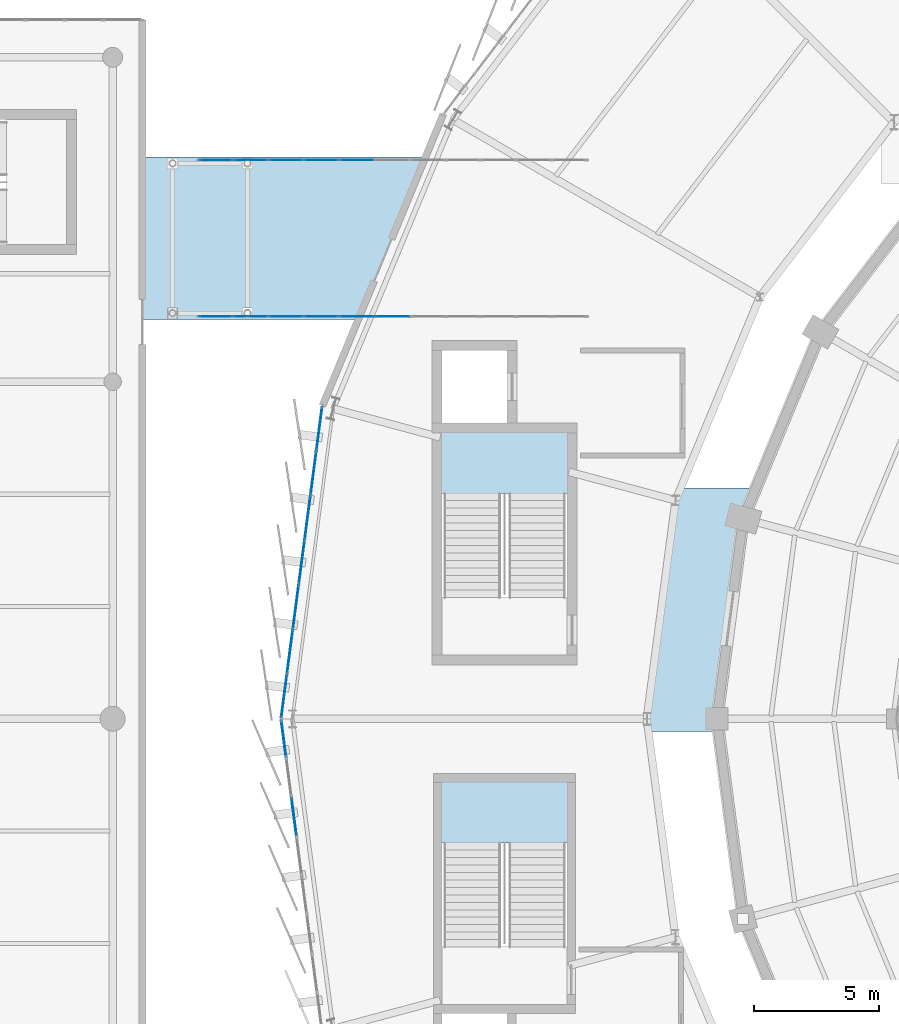
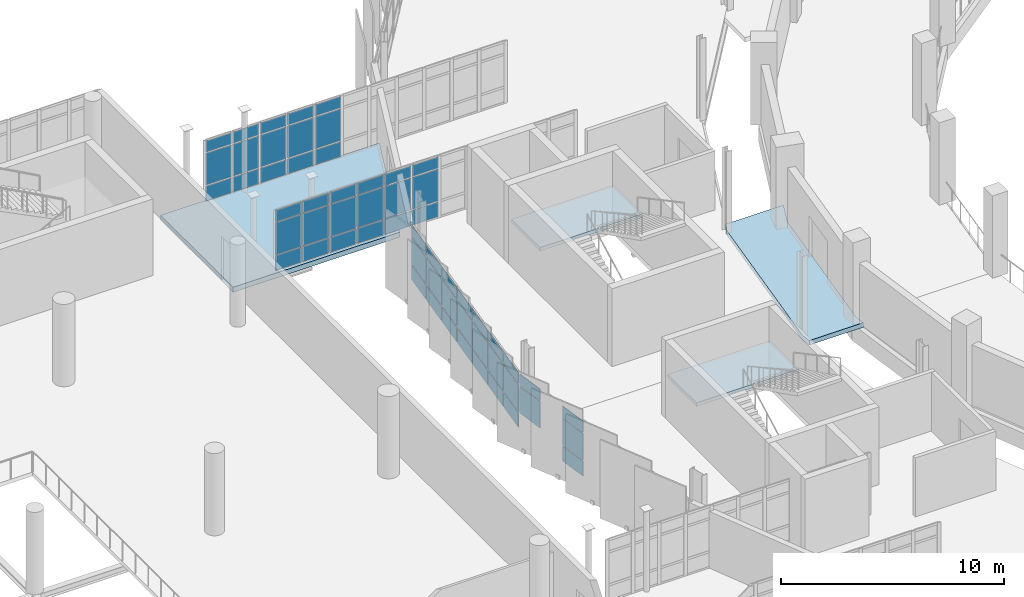
# One storey, part 87 of 125: 59 plates, 4 slabs, 6 elements without a shape of their own.
"""IFC4 building model written with IfcOpenShell, lengths in metres."""

from ifc_helpers import new_model, si_unit, direction, frame, origin, origin_2d, place, context, subcontext, project, spatial, polyline, rectangle, outline, extrude, material, layer, layer_set, type_object, element, aggregate, save


model = new_model("IFC4")

# Units and contexts
model_context = context("Model", 3, precision=1e-05, world=origin(), true_north=direction((0.0, 1.0)))
body_context = subcontext(model_context, "Body", "Model", "MODEL_VIEW")
ifc_project = project(units=[si_unit("LENGTHUNIT", "METRE"), si_unit("AREAUNIT", "SQUARE_METRE"), si_unit("VOLUMEUNIT", "CUBIC_METRE"), si_unit("PLANEANGLEUNIT", "RADIAN"), si_unit("MASSUNIT", "GRAM", prefix="KILO")], contexts=[model_context])

# Site, building, storey
site_placement = place(None, origin())
site = spatial("IfcSite", under=ifc_project, at=site_placement, CompositionType="ELEMENT")
building_placement = place(site_placement, origin())
building = spatial("IfcBuilding", under=site, at=building_placement, Name="Sohan Crest Arena", CompositionType="ELEMENT")
storey_placement = place(building_placement, frame((0.0, 0.0, 9.0)))
storey = spatial("IfcBuildingStorey", under=building, at=storey_placement, Name="L02", CompositionType="ELEMENT", Elevation=9.0)

# Curtain wall, plates
ifc_material_1 = material(Name="Thermally broken anodised aluminium", Category="aluminium")
ifc_layer_1 = layer(ifc_material_1, 0.18994140625, Name="Thermally broken anodised aluminium")
ifc_layer_set_1 = layer_set([ifc_layer_1], Name="Thermally broken anodised aluminium")
curtain_wall_type_1 = type_object("IfcCurtainWallType", Name="ARC-CW05", PredefinedType="NOTDEFINED", material=ifc_layer_set_1)
curtain_wall_1_placement = place(storey_placement, origin())
curtain_wall_1 = element("IfcCurtainWall", 1, at=curtain_wall_1_placement, inside=storey, type_object=curtain_wall_type_1, Name="Unitised curtain wall CW-235", PredefinedType="NOTDEFINED")
ifc_material_2 = material(Name="Low-E double-glazed insulated glass", Category="glass")
ifc_layer_2 = layer(ifc_material_2, 0.028076171875, Name="Low-E double-glazed insulated glass")
ifc_layer_set_2 = layer_set([ifc_layer_2], Name="Low-E double-glazed insulated glass")
plate_type_1 = type_object("IfcPlateType", Name="ARC-CNP01", PredefinedType="CURTAIN_PANEL", material=ifc_layer_set_2)
plate_1_placement = place(storey_placement, frame((46.92529296875, 94.1201171875, 0.06005859375), z_axis=(0.0, 0.0, 1.0), x_axis=(1.0, 0.0, 0.0)))
plate_1 = element("IfcPlate", 2, at=plate_1_placement, type_object=plate_type_1, Name="CW-235 panel 1.1", PredefinedType="CURTAIN_PANEL", context=body_context, shape_type="SweptSolid", body=[
    extrude(rectangle(XDim=1.32080078125, YDim=0.028076171875, at=origin_2d()), origin(), (0.0, 0.0, 1.0), 0.81005859375),
])
plate_2_placement = place(storey_placement, frame((46.92529296875, 94.1201171875, 0.93017578125), z_axis=(0.0, 0.0, 1.0), x_axis=(1.0, 0.0, 0.0)))
plate_2 = element("IfcPlate", 3, at=plate_2_placement, type_object=plate_type_1, Name="CW-235 panel 1.2", PredefinedType="CURTAIN_PANEL", context=body_context, shape_type="SweptSolid", body=[
    extrude(rectangle(XDim=1.32080078125, YDim=0.028076171875, at=origin_2d()), origin(), (0.0, 0.0, 1.0), 1.739990234375),
])
plate_3_placement = place(storey_placement, frame((46.92529296875, 94.1201171875, 2.72998046875), z_axis=(0.0, 0.0, 1.0), x_axis=(1.0, 0.0, 0.0)))
plate_3 = element("IfcPlate", 4, at=plate_3_placement, type_object=plate_type_1, Name="CW-235 panel 1.3", PredefinedType="CURTAIN_PANEL", context=body_context, shape_type="SweptSolid", body=[
    extrude(rectangle(XDim=1.32080078125, YDim=0.028076171875, at=origin_2d()), origin(), (0.0, 0.0, 1.0), 0.610107421875),
])
plate_4_placement = place(storey_placement, frame((48.327392578125, 94.1201171875, 0.06005859375), z_axis=(0.0, 0.0, 1.0), x_axis=(1.0, 0.0, 0.0)))
plate_4 = element("IfcPlate", 5, at=plate_4_placement, type_object=plate_type_1, Name="CW-235 panel 2.1", PredefinedType="CURTAIN_PANEL", context=body_context, shape_type="SweptSolid", body=[
    extrude(rectangle(XDim=1.353271484375, YDim=0.028076171875, at=origin_2d()), origin(), (0.0, 0.0, 1.0), 0.81005859375),
])
plate_5_placement = place(storey_placement, frame((48.327392578125, 94.1201171875, 0.93017578125), z_axis=(0.0, 0.0, 1.0), x_axis=(1.0, 0.0, 0.0)))
plate_5 = element("IfcPlate", 6, at=plate_5_placement, type_object=plate_type_1, Name="CW-235 panel 2.2", PredefinedType="CURTAIN_PANEL", context=body_context, shape_type="SweptSolid", body=[
    extrude(rectangle(XDim=1.353271484375, YDim=0.028076171875, at=origin_2d()), origin(), (0.0, 0.0, 1.0), 1.739990234375),
])
plate_6_placement = place(storey_placement, frame((48.327392578125, 94.1201171875, 2.72998046875), z_axis=(0.0, 0.0, 1.0), x_axis=(1.0, 0.0, 0.0)))
plate_6 = element("IfcPlate", 7, at=plate_6_placement, type_object=plate_type_1, Name="CW-235 panel 2.3", PredefinedType="CURTAIN_PANEL", context=body_context, shape_type="SweptSolid", body=[
    extrude(rectangle(XDim=1.353271484375, YDim=0.028076171875, at=origin_2d()), origin(), (0.0, 0.0, 1.0), 0.610107421875),
])
plate_7_placement = place(storey_placement, frame((49.745361328125, 94.1201171875, 0.06005859375), z_axis=(0.0, 0.0, 1.0), x_axis=(1.0, 0.0, 0.0)))
plate_7 = element("IfcPlate", 8, at=plate_7_placement, type_object=plate_type_1, Name="CW-235 panel 3.1", PredefinedType="CURTAIN_PANEL", context=body_context, shape_type="SweptSolid", body=[
    extrude(rectangle(XDim=1.353271484375, YDim=0.028076171875, at=origin_2d()), origin(), (0.0, 0.0, 1.0), 0.81005859375),
])
plate_8_placement = place(storey_placement, frame((49.745361328125, 94.1201171875, 0.93017578125), z_axis=(0.0, 0.0, 1.0), x_axis=(1.0, 0.0, 0.0)))
plate_8 = element("IfcPlate", 9, at=plate_8_placement, type_object=plate_type_1, Name="CW-235 panel 3.2", PredefinedType="CURTAIN_PANEL", context=body_context, shape_type="SweptSolid", body=[
    extrude(rectangle(XDim=1.353271484375, YDim=0.028076171875, at=origin_2d()), origin(), (0.0, 0.0, 1.0), 1.739990234375),
])
plate_9_placement = place(storey_placement, frame((49.745361328125, 94.1201171875, 2.72998046875), z_axis=(0.0, 0.0, 1.0), x_axis=(1.0, 0.0, 0.0)))
plate_9 = element("IfcPlate", 10, at=plate_9_placement, type_object=plate_type_1, Name="CW-235 panel 3.3", PredefinedType="CURTAIN_PANEL", context=body_context, shape_type="SweptSolid", body=[
    extrude(rectangle(XDim=1.353271484375, YDim=0.028076171875, at=origin_2d()), origin(), (0.0, 0.0, 1.0), 0.610107421875),
])
plate_10_placement = place(storey_placement, frame((51.16357421875, 94.1201171875, 0.06005859375), z_axis=(0.0, 0.0, 1.0), x_axis=(1.0, 0.0, 0.0)))
plate_10 = element("IfcPlate", 11, at=plate_10_placement, type_object=plate_type_1, Name="CW-235 panel 4.1", PredefinedType="CURTAIN_PANEL", context=body_context, shape_type="SweptSolid", body=[
    extrude(rectangle(XDim=1.353271484375, YDim=0.028076171875, at=origin_2d()), origin(), (0.0, 0.0, 1.0), 0.81005859375),
])
plate_11_placement = place(storey_placement, frame((51.16357421875, 94.1201171875, 0.93017578125), z_axis=(0.0, 0.0, 1.0), x_axis=(1.0, 0.0, 0.0)))
plate_11 = element("IfcPlate", 12, at=plate_11_placement, type_object=plate_type_1, Name="CW-235 panel 4.2", PredefinedType="CURTAIN_PANEL", context=body_context, shape_type="SweptSolid", body=[
    extrude(rectangle(XDim=1.353271484375, YDim=0.028076171875, at=origin_2d()), origin(), (0.0, 0.0, 1.0), 1.739990234375),
])
plate_12_placement = place(storey_placement, frame((51.16357421875, 94.1201171875, 2.72998046875), z_axis=(0.0, 0.0, 1.0), x_axis=(1.0, 0.0, 0.0)))
plate_12 = element("IfcPlate", 13, at=plate_12_placement, type_object=plate_type_1, Name="CW-235 panel 4.3", PredefinedType="CURTAIN_PANEL", context=body_context, shape_type="SweptSolid", body=[
    extrude(rectangle(XDim=1.353271484375, YDim=0.028076171875, at=origin_2d()), origin(), (0.0, 0.0, 1.0), 0.610107421875),
])
plate_13_placement = place(storey_placement, frame((52.581787109375, 94.1201171875, 0.06005859375), z_axis=(0.0, 0.0, 1.0), x_axis=(1.0, 0.0, 0.0)))
plate_13 = element("IfcPlate", 14, at=plate_13_placement, type_object=plate_type_1, Name="CW-235 panel 5.1", PredefinedType="CURTAIN_PANEL", context=body_context, shape_type="SweptSolid", body=[
    extrude(rectangle(XDim=1.353271484375, YDim=0.028076171875, at=origin_2d()), origin(), (0.0, 0.0, 1.0), 0.81005859375),
])
plate_14_placement = place(storey_placement, frame((52.581787109375, 94.1201171875, 0.93017578125), z_axis=(0.0, 0.0, 1.0), x_axis=(1.0, 0.0, 0.0)))
plate_14 = element("IfcPlate", 15, at=plate_14_placement, type_object=plate_type_1, Name="CW-235 panel 5.2", PredefinedType="CURTAIN_PANEL", context=body_context, shape_type="SweptSolid", body=[
    extrude(rectangle(XDim=1.353271484375, YDim=0.028076171875, at=origin_2d()), origin(), (0.0, 0.0, 1.0), 1.739990234375),
])
plate_15_placement = place(storey_placement, frame((52.581787109375, 94.1201171875, 2.72998046875), z_axis=(0.0, 0.0, 1.0), x_axis=(1.0, 0.0, 0.0)))
plate_15 = element("IfcPlate", 16, at=plate_15_placement, type_object=plate_type_1, Name="CW-235 panel 5.3", PredefinedType="CURTAIN_PANEL", context=body_context, shape_type="SweptSolid", body=[
    extrude(rectangle(XDim=1.353271484375, YDim=0.028076171875, at=origin_2d()), origin(), (0.0, 0.0, 1.0), 0.610107421875),
])
plate_16_placement = place(storey_placement, frame((54.0, 94.1201171875, 0.06005859375), z_axis=(0.0, 0.0, 1.0), x_axis=(1.0, 0.0, 0.0)))
plate_16 = element("IfcPlate", 17, at=plate_16_placement, type_object=plate_type_1, Name="CW-235 panel 6.1", PredefinedType="CURTAIN_PANEL", context=body_context, shape_type="SweptSolid", body=[
    extrude(rectangle(XDim=1.353271484375, YDim=0.028076171875, at=origin_2d()), origin(), (0.0, 0.0, 1.0), 0.81005859375),
])
plate_17_placement = place(storey_placement, frame((54.0, 94.1201171875, 0.93017578125), z_axis=(0.0, 0.0, 1.0), x_axis=(1.0, 0.0, 0.0)))
plate_17 = element("IfcPlate", 18, at=plate_17_placement, type_object=plate_type_1, Name="CW-235 panel 6.2", PredefinedType="CURTAIN_PANEL", context=body_context, shape_type="SweptSolid", body=[
    extrude(rectangle(XDim=1.353271484375, YDim=0.028076171875, at=origin_2d()), origin(), (0.0, 0.0, 1.0), 1.739990234375),
])
plate_18_placement = place(storey_placement, frame((54.0, 94.1201171875, 2.72998046875), z_axis=(0.0, 0.0, 1.0), x_axis=(1.0, 0.0, 0.0)))
plate_18 = element("IfcPlate", 19, at=plate_18_placement, type_object=plate_type_1, Name="CW-235 panel 6.3", PredefinedType="CURTAIN_PANEL", context=body_context, shape_type="SweptSolid", body=[
    extrude(rectangle(XDim=1.353271484375, YDim=0.028076171875, at=origin_2d()), origin(), (0.0, 0.0, 1.0), 0.610107421875),
])
aggregate(curtain_wall_1, [plate_1, plate_2, plate_3, plate_4, plate_5, plate_6, plate_7, plate_8, plate_9, plate_10, plate_11, plate_12, plate_13, plate_14, plate_15, plate_16, plate_17, plate_18])

curtain_wall_2_placement = place(storey_placement, origin())
curtain_wall_2 = element("IfcCurtainWall", 20, at=curtain_wall_2_placement, inside=storey, type_object=curtain_wall_type_1, Name="Unitised curtain wall CW-236", PredefinedType="NOTDEFINED")
plate_19_placement = place(storey_placement, frame((46.92529296875, 100.3798828125, 0.06005859375), z_axis=(0.0, 0.0, 1.0), x_axis=(1.0, 0.0, 0.0)))
plate_19 = element("IfcPlate", 21, at=plate_19_placement, type_object=plate_type_1, Name="CW-236 panel 1.1", PredefinedType="CURTAIN_PANEL", context=body_context, shape_type="SweptSolid", body=[
    extrude(rectangle(XDim=1.32080078125, YDim=0.028076171875, at=origin_2d()), origin(), (0.0, 0.0, 1.0), 0.81005859375),
])
plate_20_placement = place(storey_placement, frame((46.92529296875, 100.3798828125, 0.93017578125), z_axis=(0.0, 0.0, 1.0), x_axis=(1.0, 0.0, 0.0)))
plate_20 = element("IfcPlate", 22, at=plate_20_placement, type_object=plate_type_1, Name="CW-236 panel 1.2", PredefinedType="CURTAIN_PANEL", context=body_context, shape_type="SweptSolid", body=[
    extrude(rectangle(XDim=1.32080078125, YDim=0.028076171875, at=origin_2d()), origin(), (0.0, 0.0, 1.0), 1.739990234375),
])
plate_21_placement = place(storey_placement, frame((46.92529296875, 100.3798828125, 2.72998046875), z_axis=(0.0, 0.0, 1.0), x_axis=(1.0, 0.0, 0.0)))
plate_21 = element("IfcPlate", 23, at=plate_21_placement, type_object=plate_type_1, Name="CW-236 panel 1.3", PredefinedType="CURTAIN_PANEL", context=body_context, shape_type="SweptSolid", body=[
    extrude(rectangle(XDim=1.32080078125, YDim=0.028076171875, at=origin_2d()), origin(), (0.0, 0.0, 1.0), 0.610107421875),
])
plate_22_placement = place(storey_placement, frame((48.327392578125, 100.3798828125, 0.06005859375), z_axis=(0.0, 0.0, 1.0), x_axis=(1.0, 0.0, 0.0)))
plate_22 = element("IfcPlate", 24, at=plate_22_placement, type_object=plate_type_1, Name="CW-236 panel 2.1", PredefinedType="CURTAIN_PANEL", context=body_context, shape_type="SweptSolid", body=[
    extrude(rectangle(XDim=1.353271484375, YDim=0.028076171875, at=origin_2d()), origin(), (0.0, 0.0, 1.0), 0.81005859375),
])
plate_23_placement = place(storey_placement, frame((48.327392578125, 100.3798828125, 0.93017578125), z_axis=(0.0, 0.0, 1.0), x_axis=(1.0, 0.0, 0.0)))
plate_23 = element("IfcPlate", 25, at=plate_23_placement, type_object=plate_type_1, Name="CW-236 panel 2.2", PredefinedType="CURTAIN_PANEL", context=body_context, shape_type="SweptSolid", body=[
    extrude(rectangle(XDim=1.353271484375, YDim=0.028076171875, at=origin_2d()), origin(), (0.0, 0.0, 1.0), 1.739990234375),
])
plate_24_placement = place(storey_placement, frame((48.327392578125, 100.3798828125, 2.72998046875), z_axis=(0.0, 0.0, 1.0), x_axis=(1.0, 0.0, 0.0)))
plate_24 = element("IfcPlate", 26, at=plate_24_placement, type_object=plate_type_1, Name="CW-236 panel 2.3", PredefinedType="CURTAIN_PANEL", context=body_context, shape_type="SweptSolid", body=[
    extrude(rectangle(XDim=1.353271484375, YDim=0.028076171875, at=origin_2d()), origin(), (0.0, 0.0, 1.0), 0.610107421875),
])
plate_25_placement = place(storey_placement, frame((49.745361328125, 100.3798828125, 0.06005859375), z_axis=(0.0, 0.0, 1.0), x_axis=(1.0, 0.0, 0.0)))
plate_25 = element("IfcPlate", 27, at=plate_25_placement, type_object=plate_type_1, Name="CW-236 panel 3.1", PredefinedType="CURTAIN_PANEL", context=body_context, shape_type="SweptSolid", body=[
    extrude(rectangle(XDim=1.353271484375, YDim=0.028076171875, at=origin_2d()), origin(), (0.0, 0.0, 1.0), 0.81005859375),
])
plate_26_placement = place(storey_placement, frame((49.745361328125, 100.3798828125, 0.93017578125), z_axis=(0.0, 0.0, 1.0), x_axis=(1.0, 0.0, 0.0)))
plate_26 = element("IfcPlate", 28, at=plate_26_placement, type_object=plate_type_1, Name="CW-236 panel 3.2", PredefinedType="CURTAIN_PANEL", context=body_context, shape_type="SweptSolid", body=[
    extrude(rectangle(XDim=1.353271484375, YDim=0.028076171875, at=origin_2d()), origin(), (0.0, 0.0, 1.0), 1.739990234375),
])
plate_27_placement = place(storey_placement, frame((49.745361328125, 100.3798828125, 2.72998046875), z_axis=(0.0, 0.0, 1.0), x_axis=(1.0, 0.0, 0.0)))
plate_27 = element("IfcPlate", 29, at=plate_27_placement, type_object=plate_type_1, Name="CW-236 panel 3.3", PredefinedType="CURTAIN_PANEL", context=body_context, shape_type="SweptSolid", body=[
    extrude(rectangle(XDim=1.353271484375, YDim=0.028076171875, at=origin_2d()), origin(), (0.0, 0.0, 1.0), 0.610107421875),
])
plate_28_placement = place(storey_placement, frame((51.16357421875, 100.3798828125, 0.06005859375), z_axis=(0.0, 0.0, 1.0), x_axis=(1.0, 0.0, 0.0)))
plate_28 = element("IfcPlate", 30, at=plate_28_placement, type_object=plate_type_1, Name="CW-236 panel 4.1", PredefinedType="CURTAIN_PANEL", context=body_context, shape_type="SweptSolid", body=[
    extrude(rectangle(XDim=1.353271484375, YDim=0.028076171875, at=origin_2d()), origin(), (0.0, 0.0, 1.0), 0.81005859375),
])
plate_29_placement = place(storey_placement, frame((51.16357421875, 100.3798828125, 0.93017578125), z_axis=(0.0, 0.0, 1.0), x_axis=(1.0, 0.0, 0.0)))
plate_29 = element("IfcPlate", 31, at=plate_29_placement, type_object=plate_type_1, Name="CW-236 panel 4.2", PredefinedType="CURTAIN_PANEL", context=body_context, shape_type="SweptSolid", body=[
    extrude(rectangle(XDim=1.353271484375, YDim=0.028076171875, at=origin_2d()), origin(), (0.0, 0.0, 1.0), 1.739990234375),
])
plate_30_placement = place(storey_placement, frame((51.16357421875, 100.3798828125, 2.72998046875), z_axis=(0.0, 0.0, 1.0), x_axis=(1.0, 0.0, 0.0)))
plate_30 = element("IfcPlate", 32, at=plate_30_placement, type_object=plate_type_1, Name="CW-236 panel 4.3", PredefinedType="CURTAIN_PANEL", context=body_context, shape_type="SweptSolid", body=[
    extrude(rectangle(XDim=1.353271484375, YDim=0.028076171875, at=origin_2d()), origin(), (0.0, 0.0, 1.0), 0.610107421875),
])
plate_31_placement = place(storey_placement, frame((52.581787109375, 100.3798828125, 0.06005859375), z_axis=(0.0, 0.0, 1.0), x_axis=(1.0, 0.0, 0.0)))
plate_31 = element("IfcPlate", 33, at=plate_31_placement, type_object=plate_type_1, Name="CW-236 panel 5.1", PredefinedType="CURTAIN_PANEL", context=body_context, shape_type="SweptSolid", body=[
    extrude(rectangle(XDim=1.353271484375, YDim=0.028076171875, at=origin_2d()), origin(), (0.0, 0.0, 1.0), 0.81005859375),
])
plate_32_placement = place(storey_placement, frame((52.581787109375, 100.3798828125, 0.93017578125), z_axis=(0.0, 0.0, 1.0), x_axis=(1.0, 0.0, 0.0)))
plate_32 = element("IfcPlate", 34, at=plate_32_placement, type_object=plate_type_1, Name="CW-236 panel 5.2", PredefinedType="CURTAIN_PANEL", context=body_context, shape_type="SweptSolid", body=[
    extrude(rectangle(XDim=1.353271484375, YDim=0.028076171875, at=origin_2d()), origin(), (0.0, 0.0, 1.0), 1.739990234375),
])
plate_33_placement = place(storey_placement, frame((52.581787109375, 100.3798828125, 2.72998046875), z_axis=(0.0, 0.0, 1.0), x_axis=(1.0, 0.0, 0.0)))
plate_33 = element("IfcPlate", 35, at=plate_33_placement, type_object=plate_type_1, Name="CW-236 panel 5.3", PredefinedType="CURTAIN_PANEL", context=body_context, shape_type="SweptSolid", body=[
    extrude(rectangle(XDim=1.353271484375, YDim=0.028076171875, at=origin_2d()), origin(), (0.0, 0.0, 1.0), 0.610107421875),
])
aggregate(curtain_wall_2, [plate_19, plate_20, plate_21, plate_22, plate_23, plate_24, plate_25, plate_26, plate_27, plate_28, plate_29, plate_30, plate_31, plate_32, plate_33])

ifc_layer_3 = layer(ifc_material_1, 0.2099609375, Name="Thermally broken anodised aluminium")
ifc_layer_set_3 = layer_set([ifc_layer_3], Name="Thermally broken anodised aluminium")
curtain_wall_type_2 = type_object("IfcCurtainWallType", Name="ARC-CW06", PredefinedType="NOTDEFINED", material=ifc_layer_set_3)
curtain_wall_3_placement = place(storey_placement, origin())
curtain_wall_3 = element("IfcCurtainWall", 36, at=curtain_wall_3_placement, inside=storey, type_object=curtain_wall_type_2, Name="Unitised curtain wall CW-054", PredefinedType="NOTDEFINED")
ifc_layer_4 = layer(ifc_material_2, 0.031982421875, Name="Low-E double-glazed insulated glass")
ifc_layer_set_4 = layer_set([ifc_layer_4], Name="Low-E double-glazed insulated glass")
plate_type_2 = type_object("IfcPlateType", Name="ARC-CNP02", PredefinedType="CURTAIN_PANEL", material=ifc_layer_set_4)
plate_34_placement = place(storey_placement, frame((51.0810546875, 89.628173828125, 0.070068359375), z_axis=(0.0, 0.0, 1.0), x_axis=(-0.130532229177, -0.991444066575, 0.0)))
plate_34 = element("IfcPlate", 37, at=plate_34_placement, type_object=plate_type_2, Name="CW-054 panel 1.1", PredefinedType="CURTAIN_PANEL", context=body_context, shape_type="SweptSolid", body=[
    extrude(rectangle(XDim=1.70947265625, YDim=0.031982421875, at=origin_2d()), origin(), (0.0, 0.0, 1.0), 0.794921875),
])
plate_35_placement = place(storey_placement, frame((51.0810546875, 89.628173828125, 0.93505859375), z_axis=(0.0, 0.0, 1.0), x_axis=(-0.130532229177, -0.991444066575, 0.0)))
plate_35 = element("IfcPlate", 38, at=plate_35_placement, type_object=plate_type_2, Name="CW-054 panel 1.2", PredefinedType="CURTAIN_PANEL", context=body_context, shape_type="SweptSolid", body=[
    extrude(rectangle(XDim=1.70947265625, YDim=0.031982421875, at=origin_2d()), origin(), (0.0, 0.0, 1.0), 1.449951171875),
])
plate_36_placement = place(storey_placement, frame((51.0810546875, 89.628173828125, 2.455078125), z_axis=(0.0, 0.0, 1.0), x_axis=(-0.130532229177, -0.991444066575, 0.0)))
plate_36 = element("IfcPlate", 39, at=plate_36_placement, type_object=plate_type_2, Name="CW-054 panel 1.3", PredefinedType="CURTAIN_PANEL", context=body_context, shape_type="SweptSolid", body=[
    extrude(rectangle(XDim=1.70947265625, YDim=0.031982421875, at=origin_2d()), origin(), (0.0, 0.0, 1.0), 0.594970703125),
])
plate_37_placement = place(storey_placement, frame((50.84716796875, 87.852783203125, 0.070068359375), z_axis=(0.0, 0.0, 1.0), x_axis=(-0.130532229177, -0.991444066575, 0.0)))
plate_37 = element("IfcPlate", 40, at=plate_37_placement, type_object=plate_type_2, Name="CW-054 panel 2.1", PredefinedType="CURTAIN_PANEL", context=body_context, shape_type="SweptSolid", body=[
    extrude(rectangle(XDim=1.741943359375, YDim=0.031982421875, at=origin_2d()), origin(), (0.0, 0.0, 1.0), 0.794921875),
])
plate_38_placement = place(storey_placement, frame((50.84716796875, 87.852783203125, 0.93505859375), z_axis=(0.0, 0.0, 1.0), x_axis=(-0.130532229177, -0.991444066575, 0.0)))
plate_38 = element("IfcPlate", 41, at=plate_38_placement, type_object=plate_type_2, Name="CW-054 panel 2.2", PredefinedType="CURTAIN_PANEL", context=body_context, shape_type="SweptSolid", body=[
    extrude(rectangle(XDim=1.741943359375, YDim=0.031982421875, at=origin_2d()), origin(), (0.0, 0.0, 1.0), 1.449951171875),
])
plate_39_placement = place(storey_placement, frame((50.84716796875, 87.852783203125, 2.455078125), z_axis=(0.0, 0.0, 1.0), x_axis=(-0.130532229177, -0.991444066575, 0.0)))
plate_39 = element("IfcPlate", 42, at=plate_39_placement, type_object=plate_type_2, Name="CW-054 panel 2.3", PredefinedType="CURTAIN_PANEL", context=body_context, shape_type="SweptSolid", body=[
    extrude(rectangle(XDim=1.741943359375, YDim=0.031982421875, at=origin_2d()), origin(), (0.0, 0.0, 1.0), 0.594970703125),
])
plate_40_placement = place(storey_placement, frame((50.611328125, 86.0615234375, 0.070068359375), z_axis=(0.0, 0.0, 1.0), x_axis=(-0.130532229177, -0.991444066575, 0.0)))
plate_40 = element("IfcPlate", 43, at=plate_40_placement, type_object=plate_type_2, Name="CW-054 panel 3.1", PredefinedType="CURTAIN_PANEL", context=body_context, shape_type="SweptSolid", body=[
    extrude(rectangle(XDim=1.741943359375, YDim=0.031982421875, at=origin_2d()), origin(), (0.0, 0.0, 1.0), 0.794921875),
])
plate_41_placement = place(storey_placement, frame((50.611328125, 86.0615234375, 0.93505859375), z_axis=(0.0, 0.0, 1.0), x_axis=(-0.130532229177, -0.991444066575, 0.0)))
plate_41 = element("IfcPlate", 44, at=plate_41_placement, type_object=plate_type_2, Name="CW-054 panel 3.2", PredefinedType="CURTAIN_PANEL", context=body_context, shape_type="SweptSolid", body=[
    extrude(rectangle(XDim=1.741943359375, YDim=0.031982421875, at=origin_2d()), origin(), (0.0, 0.0, 1.0), 1.449951171875),
])
plate_42_placement = place(storey_placement, frame((50.611328125, 86.0615234375, 2.455078125), z_axis=(0.0, 0.0, 1.0), x_axis=(-0.130532229177, -0.991444066575, 0.0)))
plate_42 = element("IfcPlate", 45, at=plate_42_placement, type_object=plate_type_2, Name="CW-054 panel 3.3", PredefinedType="CURTAIN_PANEL", context=body_context, shape_type="SweptSolid", body=[
    extrude(rectangle(XDim=1.741943359375, YDim=0.031982421875, at=origin_2d()), origin(), (0.0, 0.0, 1.0), 0.594970703125),
])
plate_43_placement = place(storey_placement, frame((50.37548828125, 84.27001953125, 0.070068359375), z_axis=(0.0, 0.0, 1.0), x_axis=(-0.130532229177, -0.991444066575, 0.0)))
plate_43 = element("IfcPlate", 46, at=plate_43_placement, type_object=plate_type_2, Name="CW-054 panel 4.1", PredefinedType="CURTAIN_PANEL", context=body_context, shape_type="SweptSolid", body=[
    extrude(rectangle(XDim=1.741943359375, YDim=0.031982421875, at=origin_2d()), origin(), (0.0, 0.0, 1.0), 0.794921875),
])
plate_44_placement = place(storey_placement, frame((50.37548828125, 84.27001953125, 0.93505859375), z_axis=(0.0, 0.0, 1.0), x_axis=(-0.130532229177, -0.991444066575, 0.0)))
plate_44 = element("IfcPlate", 47, at=plate_44_placement, type_object=plate_type_2, Name="CW-054 panel 4.2", PredefinedType="CURTAIN_PANEL", context=body_context, shape_type="SweptSolid", body=[
    extrude(rectangle(XDim=1.741943359375, YDim=0.031982421875, at=origin_2d()), origin(), (0.0, 0.0, 1.0), 1.449951171875),
])
plate_45_placement = place(storey_placement, frame((50.37548828125, 84.27001953125, 2.455078125), z_axis=(0.0, 0.0, 1.0), x_axis=(-0.130532229177, -0.991444066575, 0.0)))
plate_45 = element("IfcPlate", 48, at=plate_45_placement, type_object=plate_type_2, Name="CW-054 panel 4.3", PredefinedType="CURTAIN_PANEL", context=body_context, shape_type="SweptSolid", body=[
    extrude(rectangle(XDim=1.741943359375, YDim=0.031982421875, at=origin_2d()), origin(), (0.0, 0.0, 1.0), 0.594970703125),
])
plate_46_placement = place(storey_placement, frame((50.1396484375, 82.478515625, 0.070068359375), z_axis=(0.0, 0.0, 1.0), x_axis=(-0.130532229177, -0.991444066575, 0.0)))
plate_46 = element("IfcPlate", 49, at=plate_46_placement, type_object=plate_type_2, Name="CW-054 panel 5.1", PredefinedType="CURTAIN_PANEL", context=body_context, shape_type="SweptSolid", body=[
    extrude(rectangle(XDim=1.741943359375, YDim=0.031982421875, at=origin_2d()), origin(), (0.0, 0.0, 1.0), 0.794921875),
])
plate_47_placement = place(storey_placement, frame((50.1396484375, 82.478515625, 0.93505859375), z_axis=(0.0, 0.0, 1.0), x_axis=(-0.130532229177, -0.991444066575, 0.0)))
plate_47 = element("IfcPlate", 50, at=plate_47_placement, type_object=plate_type_2, Name="CW-054 panel 5.2", PredefinedType="CURTAIN_PANEL", context=body_context, shape_type="SweptSolid", body=[
    extrude(rectangle(XDim=1.741943359375, YDim=0.031982421875, at=origin_2d()), origin(), (0.0, 0.0, 1.0), 1.449951171875),
])
plate_48_placement = place(storey_placement, frame((50.1396484375, 82.478515625, 2.455078125), z_axis=(0.0, 0.0, 1.0), x_axis=(-0.130532229177, -0.991444066575, 0.0)))
plate_48 = element("IfcPlate", 51, at=plate_48_placement, type_object=plate_type_2, Name="CW-054 panel 5.3", PredefinedType="CURTAIN_PANEL", context=body_context, shape_type="SweptSolid", body=[
    extrude(rectangle(XDim=1.741943359375, YDim=0.031982421875, at=origin_2d()), origin(), (0.0, 0.0, 1.0), 0.594970703125),
])
plate_49_placement = place(storey_placement, frame((49.90380859375, 80.687255859375, 0.070068359375), z_axis=(0.0, 0.0, 1.0), x_axis=(-0.130532229177, -0.991444066575, 0.0)))
plate_49 = element("IfcPlate", 52, at=plate_49_placement, type_object=plate_type_2, Name="CW-054 panel 6.1", PredefinedType="CURTAIN_PANEL", context=body_context, shape_type="SweptSolid", body=[
    extrude(rectangle(XDim=1.741943359375, YDim=0.031982421875, at=origin_2d()), origin(), (0.0, 0.0, 1.0), 0.794921875),
])
plate_50_placement = place(storey_placement, frame((49.90380859375, 80.687255859375, 0.93505859375), z_axis=(0.0, 0.0, 1.0), x_axis=(-0.130532229177, -0.991444066575, 0.0)))
plate_50 = element("IfcPlate", 53, at=plate_50_placement, type_object=plate_type_2, Name="CW-054 panel 6.2", PredefinedType="CURTAIN_PANEL", context=body_context, shape_type="SweptSolid", body=[
    extrude(rectangle(XDim=1.741943359375, YDim=0.031982421875, at=origin_2d()), origin(), (0.0, 0.0, 1.0), 1.449951171875),
])
plate_51_placement = place(storey_placement, frame((49.90380859375, 80.687255859375, 2.455078125), z_axis=(0.0, 0.0, 1.0), x_axis=(-0.130532229177, -0.991444066575, 0.0)))
plate_51 = element("IfcPlate", 54, at=plate_51_placement, type_object=plate_type_2, Name="CW-054 panel 6.3", PredefinedType="CURTAIN_PANEL", context=body_context, shape_type="SweptSolid", body=[
    extrude(rectangle(XDim=1.741943359375, YDim=0.031982421875, at=origin_2d()), origin(), (0.0, 0.0, 1.0), 0.594970703125),
])
plate_52_placement = place(storey_placement, frame((49.670166015625, 78.911865234375, 0.070068359375), z_axis=(0.0, 0.0, 1.0), x_axis=(-0.130532229177, -0.991444066575, 0.0)))
plate_52 = element("IfcPlate", 55, at=plate_52_placement, type_object=plate_type_2, Name="CW-054 panel 7.1", PredefinedType="CURTAIN_PANEL", context=body_context, shape_type="SweptSolid", body=[
    extrude(rectangle(XDim=1.70947265625, YDim=0.031982421875, at=origin_2d()), origin(), (0.0, 0.0, 1.0), 0.794921875),
])
plate_53_placement = place(storey_placement, frame((49.670166015625, 78.911865234375, 0.93505859375), z_axis=(0.0, 0.0, 1.0), x_axis=(-0.130532229177, -0.991444066575, 0.0)))
plate_53 = element("IfcPlate", 56, at=plate_53_placement, type_object=plate_type_2, Name="CW-054 panel 7.2", PredefinedType="CURTAIN_PANEL", context=body_context, shape_type="SweptSolid", body=[
    extrude(rectangle(XDim=1.70947265625, YDim=0.031982421875, at=origin_2d()), origin(), (0.0, 0.0, 1.0), 1.449951171875),
])
plate_54_placement = place(storey_placement, frame((49.670166015625, 78.911865234375, 2.455078125), z_axis=(0.0, 0.0, 1.0), x_axis=(-0.130532229177, -0.991444066575, 0.0)))
plate_54 = element("IfcPlate", 57, at=plate_54_placement, type_object=plate_type_2, Name="CW-054 panel 7.3", PredefinedType="CURTAIN_PANEL", context=body_context, shape_type="SweptSolid", body=[
    extrude(rectangle(XDim=1.70947265625, YDim=0.031982421875, at=origin_2d()), origin(), (0.0, 0.0, 1.0), 0.594970703125),
])
aggregate(curtain_wall_3, [plate_34, plate_35, plate_36, plate_37, plate_38, plate_39, plate_40, plate_41, plate_42, plate_43, plate_44, plate_45, plate_46, plate_47, plate_48, plate_49, plate_50, plate_51, plate_52, plate_53, plate_54])

ifc_layer_5 = layer(ifc_material_1, 0.179931640625, Name="Thermally broken anodised aluminium")
ifc_layer_set_5 = layer_set([ifc_layer_5], Name="Thermally broken anodised aluminium")
curtain_wall_type_3 = type_object("IfcCurtainWallType", Name="ARC-CW01", PredefinedType="NOTDEFINED", material=ifc_layer_set_5)
curtain_wall_4_placement = place(storey_placement, origin())
curtain_wall_4 = element("IfcCurtainWall", 58, at=curtain_wall_4_placement, inside=storey, type_object=curtain_wall_type_3, Name="Unitised curtain wall CW-055", PredefinedType="NOTDEFINED")
ifc_material_3 = material(Name="Ceramic-fritted solar-control insulated glass", Category="glass")
ifc_layer_6 = layer(ifc_material_3, 0.035888671875, Name="Ceramic-fritted solar-control insulated glass")
ifc_layer_set_6 = layer_set([ifc_layer_6], Name="Ceramic-fritted solar-control insulated glass")
plate_type_3 = type_object("IfcPlateType", Name="ARC-CNP03", PredefinedType="CURTAIN_PANEL", material=ifc_layer_set_6)
plate_55_placement = place(storey_placement, frame((49.655517578125, 77.198974609375, 0.929931640625), z_axis=(0.0, 0.0, 1.0), x_axis=(0.130532229177, -0.991444066575, 0.0)))
plate_55 = element("IfcPlate", 59, at=plate_55_placement, type_object=plate_type_3, Name="CW-055 panel 1.2", PredefinedType="CURTAIN_PANEL", context=body_context, shape_type="SweptSolid", body=[
    extrude(rectangle(XDim=1.47607421875, YDim=0.035888671875, at=origin_2d()), origin(), (0.0, 0.0, 1.0), 1.4599609375),
])
plate_56_placement = place(storey_placement, frame((49.655517578125, 77.198974609375, 2.44970703125), z_axis=(0.0, 0.0, 1.0), x_axis=(0.130532229177, -0.991444066575, 0.0)))
plate_56 = element("IfcPlate", 60, at=plate_56_placement, type_object=plate_type_3, Name="CW-055 panel 1.3", PredefinedType="CURTAIN_PANEL", context=body_context, shape_type="SweptSolid", body=[
    extrude(rectangle(XDim=1.47607421875, YDim=0.035888671875, at=origin_2d()), origin(), (0.0, 0.0, 1.0), 0.610107421875),
])
plate_57_placement = place(storey_placement, frame((50.06591796875, 74.081298828125, 0.06005859375), z_axis=(0.0, 0.0, 1.0), x_axis=(0.130532229177, -0.991444066575, 0.0)))
plate_57 = element("IfcPlate", 61, at=plate_57_placement, type_object=plate_type_3, Name="CW-055 panel 3.1", PredefinedType="CURTAIN_PANEL", context=body_context, shape_type="SweptSolid", body=[
    extrude(rectangle(XDim=1.510986328125, YDim=0.035888671875, at=origin_2d()), origin(), (0.0, 0.0, 1.0), 0.81005859375),
])
plate_58_placement = place(storey_placement, frame((50.06591796875, 74.081298828125, 0.929931640625), z_axis=(0.0, 0.0, 1.0), x_axis=(0.130532229177, -0.991444066575, 0.0)))
plate_58 = element("IfcPlate", 62, at=plate_58_placement, type_object=plate_type_3, Name="CW-055 panel 3.2", PredefinedType="CURTAIN_PANEL", context=body_context, shape_type="SweptSolid", body=[
    extrude(rectangle(XDim=1.510986328125, YDim=0.035888671875, at=origin_2d()), origin(), (0.0, 0.0, 1.0), 1.4599609375),
])
plate_59_placement = place(storey_placement, frame((50.06591796875, 74.081298828125, 2.44970703125), z_axis=(0.0, 0.0, 1.0), x_axis=(0.130532229177, -0.991444066575, 0.0)))
plate_59 = element("IfcPlate", 63, at=plate_59_placement, type_object=plate_type_3, Name="CW-055 panel 3.3", PredefinedType="CURTAIN_PANEL", context=body_context, shape_type="SweptSolid", body=[
    extrude(rectangle(XDim=1.510986328125, YDim=0.035888671875, at=origin_2d()), origin(), (0.0, 0.0, 1.0), 0.610107421875),
])
aggregate(curtain_wall_4, [plate_55, plate_56, plate_57, plate_58, plate_59])

# Slabs
ifc_material_4 = material(Name="Concrete C40/50", Category="concrete")
ifc_layer_7 = layer(ifc_material_4, 0.25, Name="Concrete C40/50")
ifc_layer_set_7 = layer_set([ifc_layer_7], Name="Concrete C40/50")
slab_type_1 = type_object("IfcSlabType", Name="SL-FLR3", PredefinedType="FLOOR", material=ifc_layer_set_7)
slab_1_placement = place(storey_placement, frame((0.0, 0.0, -0.25)))
element("IfcSlab", 64, at=slab_1_placement, inside=storey, type_object=slab_type_1, Name="Seismic joint threshold slab L02 SL-TH-L02-05", PredefinedType="FLOOR", context=body_context, shape_type="SweptSolid", body=[
    extrude(outline(polyline([(64.199951171875, 78.0), (65.35205078125, 86.748046875), (65.55908203125, 87.248046875), (68.555908203125, 87.248046875), (68.555908203125, 87.22998046875), (68.055908203125, 86.02294921875), (67.0, 78.0), (67.06591796875, 77.5), (64.26611328125, 77.5), (64.199951171875, 78.0)])), origin(), (0.0, 0.0, 1.0), 0.25),
])
ifc_layer_8 = layer(ifc_material_4, 0.27490234375, Name="Concrete C40/50")
ifc_layer_set_8 = layer_set([ifc_layer_8], Name="Concrete C40/50")
slab_type_2 = type_object("IfcSlabType", Name="SL-FLR4", PredefinedType="FLOOR", material=ifc_layer_set_8)
slab_2_placement = place(storey_placement, frame((0.0, 0.0, -0.27490234375)))
element("IfcSlab", 65, at=slab_2_placement, inside=storey, type_object=slab_type_2, Name="Covered bridge BR-W2 L02 deck SL-BR-W2-L02", PredefinedType="FLOOR", context=body_context, shape_type="SweptSolid", body=[
    extrude(outline(polyline([(55.325927734375, 100.5), (52.634033203125, 94.0), (44.0, 94.0), (44.0, 100.5), (55.325927734375, 100.5)])), origin(), (0.0, 0.0, 1.0), 0.27490234375),
])

# Stair, slab
stair_type = type_object("IfcStairType", Name="ST-450", PredefinedType="TWO_STRAIGHT_RUN_STAIR", material=ifc_material_4)
stair_1_placement = place(storey_placement, origin())
stair_1 = element("IfcStair", 66, at=stair_1_placement, inside=storey, type_object=stair_type, Name="Protected exit stair ST01-L02", PredefinedType="TWO_STRAIGHT_RUN_STAIR")
ifc_layer_9 = layer(ifc_material_4, 0.199951171875, Name="Concrete C40/50")
ifc_layer_set_9 = layer_set([ifc_layer_9], Name="Concrete C40/50")
slab_type_3 = type_object("IfcSlabType", Name="SL-LND1", PredefinedType="LANDING", material=ifc_layer_set_9)
slab_3_placement = place(storey_placement, frame((0.0, 0.0, 2.050048828125)))
slab_3 = element("IfcSlab", 67, at=slab_3_placement, type_object=slab_type_3, Name="ST01-L02 landing 1", PredefinedType="LANDING", context=body_context, shape_type="SweptSolid", body=[
    extrude(outline(polyline([(55.85009765625, 73.030029296875), (61.14990234375, 73.030029296875), (61.14990234375, 75.60009765625), (55.85009765625, 75.60009765625), (55.85009765625, 73.030029296875)])), origin(), (0.0, 0.0, 1.0), 0.199951171875),
])
aggregate(stair_1, [slab_3])

stair_2_placement = place(storey_placement, origin())
stair_2 = element("IfcStair", 68, at=stair_2_placement, inside=storey, type_object=stair_type, Name="Protected exit stair ST02-L02", PredefinedType="TWO_STRAIGHT_RUN_STAIR")
slab_4_placement = place(storey_placement, frame((0.0, 0.0, 2.050048828125)))
slab_4 = element("IfcSlab", 69, at=slab_4_placement, type_object=slab_type_3, Name="ST02-L02 landing 1", PredefinedType="LANDING", context=body_context, shape_type="SweptSolid", body=[
    extrude(outline(polyline([(55.85009765625, 87.030029296875), (61.14990234375, 87.030029296875), (61.14990234375, 89.60009765625), (55.85009765625, 89.60009765625), (55.85009765625, 87.030029296875)])), origin(), (0.0, 0.0, 1.0), 0.199951171875),
])
aggregate(stair_2, [slab_4])

save(model, "model.ifc")
